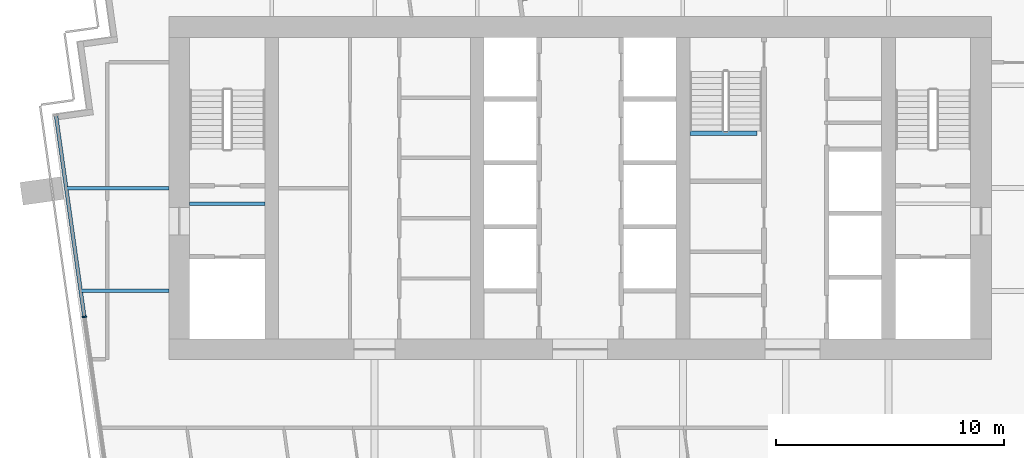
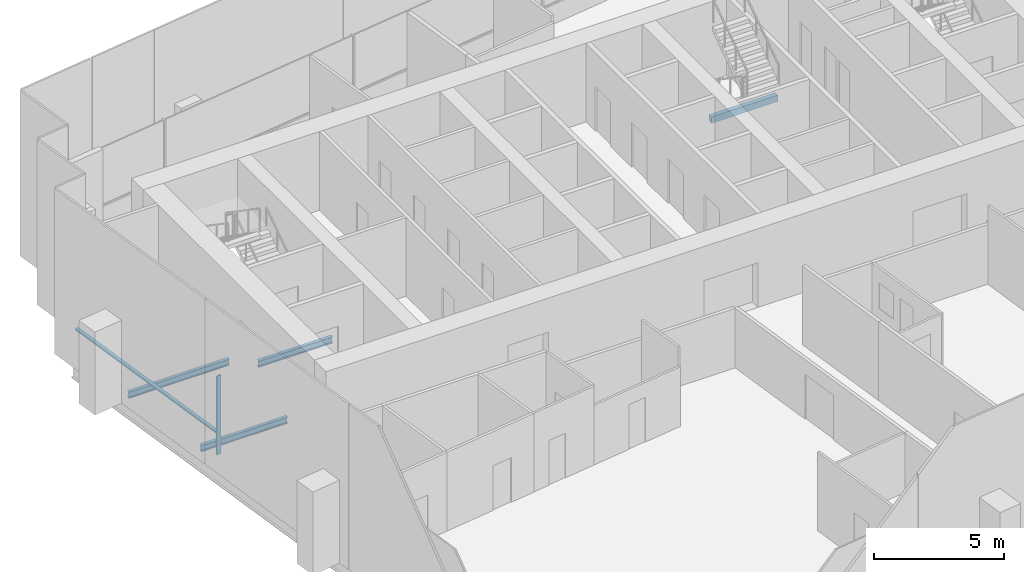
# One storey, part 4 of 17: 4 beams, 2 members, 1 element without a shape of its own.
"""IFC4 building model written with IfcOpenShell, lengths in metres."""

from ifc_helpers import new_model, si_unit, direction, frame, origin, origin_2d, place, context, subcontext, project, spatial, rectangle, i_section, extrude, material, layer, layer_set, material_profile, profile_set, type_object, element, aggregate, save


model = new_model("IFC4")

# Units and contexts
model_context = context("Model", 3, precision=1e-05, world=origin(), true_north=direction((0.0, 1.0)))
body_context = subcontext(model_context, "Body", "Model", "MODEL_VIEW")
ifc_project = project(units=[si_unit("LENGTHUNIT", "METRE"), si_unit("AREAUNIT", "SQUARE_METRE"), si_unit("VOLUMEUNIT", "CUBIC_METRE"), si_unit("PLANEANGLEUNIT", "RADIAN"), si_unit("MASSUNIT", "GRAM", prefix="KILO")], contexts=[model_context])

# Site, building, storey
site_placement = place(None, origin())
site = spatial("IfcSite", under=ifc_project, at=site_placement, CompositionType="ELEMENT")
building_placement = place(site_placement, origin())
building = spatial("IfcBuilding", under=site, at=building_placement, Name="Rattan Terrace Tower", CompositionType="ELEMENT")
storey_placement = place(building_placement, frame((0.0, 0.0, 225.199951171875)))
storey = spatial("IfcBuildingStorey", under=building, at=storey_placement, Name="L51", CompositionType="ELEMENT", Elevation=225.199951171875)

# Beams
ifc_material_1 = material(Name="Concrete C40/50", Category="concrete")
ifc_material_profile_1 = material_profile(ifc_material_1, rectangle(XDim=0.199951171875, YDim=0.300048828125, at=origin_2d()), Name="RC 200x300")
ifc_profile_set_1 = profile_set([ifc_material_profile_1], Name="Concrete C40/50")
beam_type_1 = type_object("IfcBeamType", Name="Core landing beam RC 200x300", PredefinedType="BEAM", material=ifc_profile_set_1)
beam_1_placement = place(storey_placement, frame((4.800048828125, 2.39990234375, 1.60009765625), z_axis=(1.0, 0.0, 0.0), x_axis=(0.0, 1.0, 0.0)))
element("IfcBeam", 1, at=beam_1_placement, inside=storey, type_object=beam_type_1, Name="st-S3-L51 landing 1 edge beam", PredefinedType="BEAM", context=body_context, shape_type="SweptSolid", body=[
    extrude(rectangle(XDim=0.199951171875, YDim=0.300048828125, at=origin_2d()), origin(), (0.0, 0.0, 1.0), 2.949951171875),
])
ifc_material_2 = material(Name="Steel S355", Category="steel")
ifc_material_profile_2 = material_profile(ifc_material_2, i_section(OverallWidth=0.14990234375, OverallDepth=0.300048828125, WebThickness=0.007080078125, FlangeThickness=0.0107421875, FilletRadius=0.014892578125, at=origin_2d()), Name="IPE 300")
ifc_profile_set_2 = profile_set([ifc_material_profile_2], Name="Steel S355")
beam_type_2 = type_object("IfcBeamType", Name="Frame floor beam IPE 300", PredefinedType="JOIST", material=ifc_profile_set_2)
beam_2_placement = place(storey_placement, frame((-17.10009765625, -0.695068359375, -0.349853515625), z_axis=(1.0, 0.0, 0.0), x_axis=(0.0, 1.0, 0.0)))
element("IfcBeam", 2, at=beam_2_placement, inside=storey, type_object=beam_type_2, Name="bm-L51-001", PredefinedType="JOIST", context=body_context, shape_type="SweptSolid", body=[
    extrude(i_section(OverallWidth=0.14990234375, OverallDepth=0.300048828125, WebThickness=0.007080078125, FlangeThickness=0.0107421875, FilletRadius=0.014892578125, at=origin_2d()), origin(), (0.0, 0.0, 1.0), 3.300048828125),
])
beam_3_placement = place(storey_placement, frame((-21.844970703125, -4.5, -0.349853515625), z_axis=(1.0, 0.0, 0.0), x_axis=(0.0, 1.0, 0.0)))
element("IfcBeam", 3, at=beam_3_placement, inside=storey, type_object=beam_type_2, Name="bm-L51-009", PredefinedType="JOIST", context=body_context, shape_type="SweptSolid", body=[
    extrude(i_section(OverallWidth=0.14990234375, OverallDepth=0.300048828125, WebThickness=0.007080078125, FlangeThickness=0.0107421875, FilletRadius=0.014892578125, at=origin_2d()), origin(), (0.0, 0.0, 1.0), 3.844970703125),
])
beam_4_placement = place(storey_placement, frame((-22.47705078125, 0.0, -0.349853515625), z_axis=(1.0, 0.0, 0.0), x_axis=(0.0, 1.0, 0.0)))
element("IfcBeam", 4, at=beam_4_placement, inside=storey, type_object=beam_type_2, Name="bm-L51-011", PredefinedType="JOIST", context=body_context, shape_type="SweptSolid", body=[
    extrude(i_section(OverallWidth=0.14990234375, OverallDepth=0.300048828125, WebThickness=0.007080078125, FlangeThickness=0.0107421875, FilletRadius=0.014892578125, at=origin_2d()), origin(), (0.0, 0.0, 1.0), 4.47705078125),
])

# Curtain wall, members
ifc_material_3 = material(Name="Aluminium and laminated glass", Category="aluminium")
ifc_layer = layer(ifc_material_3, 0.199951171875)
ifc_layer_set = layer_set([ifc_layer], Name="High-Zone Unitised Curtain Wall")
curtain_wall_type = type_object("IfcCurtainWallType", Name="High-Zone Unitised Curtain Wall", PredefinedType="NOTDEFINED", material=ifc_layer_set)
curtain_wall_placement = place(storey_placement, origin())
curtain_wall = element("IfcCurtainWall", 5, at=curtain_wall_placement, inside=storey, type_object=curtain_wall_type, Name="High-zone curtain wall L51-3", PredefinedType="NOTDEFINED")
ifc_material_4 = material(Name="Aluminium", Category="aluminium")
ifc_material_profile_3 = material_profile(ifc_material_4, rectangle(XDim=0.070068359375, YDim=0.199951171875, at=origin_2d()), Name="Aluminium 70x200")
ifc_profile_set_3 = profile_set([ifc_material_profile_3], Name="Aluminium")
member_type_1 = type_object("IfcMemberType", Name="High-Zone CW Mullion 70x200", PredefinedType="MULLION", material=ifc_profile_set_3)
member_1_placement = place(storey_placement, frame((-21.705078125, -5.638671875, 0.0), z_axis=(0.0, 0.0, 1.0), x_axis=(0.139186165309, -0.990266232579, 0.0)))
member_1 = element("IfcMember", 6, at=member_1_placement, type_object=member_type_1, Name="Mullion cwl-L51-003.2", PredefinedType="MULLION", context=body_context, shape_type="SweptSolid", body=[
    extrude(rectangle(XDim=0.070068359375, YDim=0.199951171875, at=origin_2d()), origin(), (0.0, 0.0, 1.0), 3.699951171875),
])
ifc_material_5 = material(Name="Aluminium", Category="aluminium")
ifc_material_profile_4 = material_profile(ifc_material_5, rectangle(XDim=0.159912109375, YDim=0.070068359375, at=origin_2d()), Name="Aluminium 160x70")
ifc_profile_set_4 = profile_set([ifc_material_profile_4], Name="Aluminium")
member_type_2 = type_object("IfcMemberType", Name="High-Zone CW Transom 160x70", PredefinedType="USERDEFINED", material=ifc_profile_set_4)
member_2_placement = place(storey_placement, frame((-22.941650390625, 3.159912109375, 1.0), z_axis=(0.139173253985, -0.990268047235, 0.0), x_axis=(0.990268047235, 0.139173253985, 0.0)))
member_2 = element("IfcMember", 7, at=member_2_placement, type_object=member_type_2, Name="Transom cwl-L51-003.1", ObjectType="TRANSOM", PredefinedType="USERDEFINED", context=body_context, shape_type="SweptSolid", body=[
    extrude(rectangle(XDim=0.159912109375, YDim=0.070068359375, at=origin_2d()), origin(), (0.0, 0.0, 1.0), 8.85009765625),
])
aggregate(curtain_wall, [member_1, member_2])

save(model, "model.ifc")
